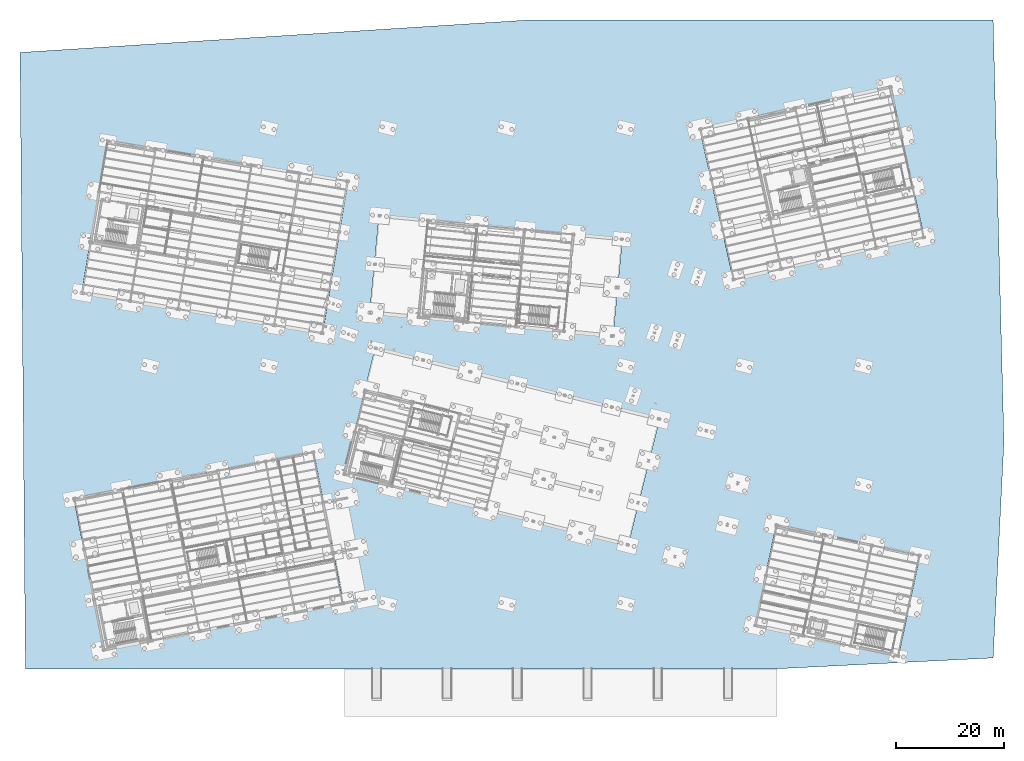
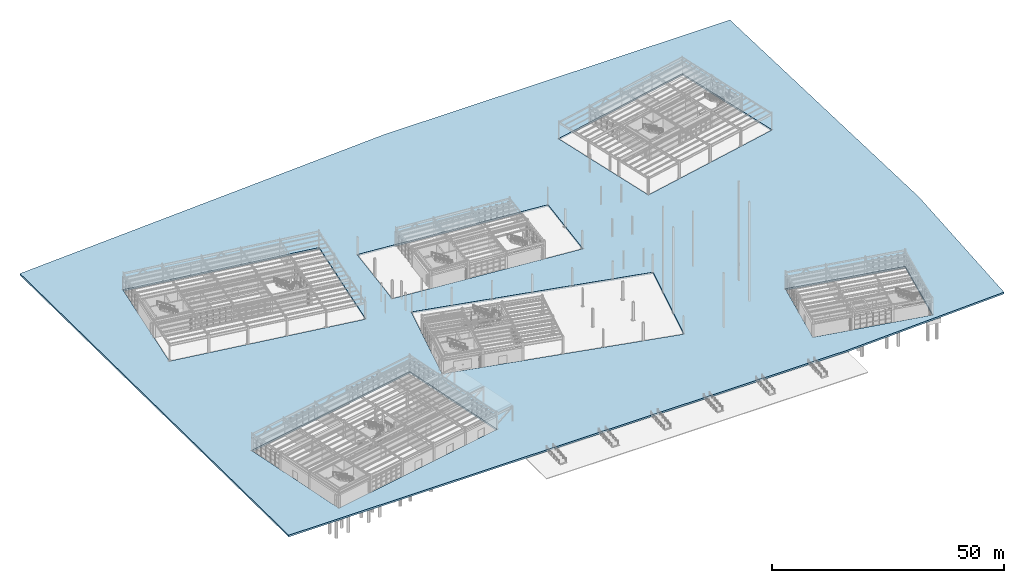
# One storey, part 65 of 108: 1 slab.
"""IFC4 building model written with IfcOpenShell, lengths in metres."""

from ifc_helpers import new_model, si_unit, direction, frame, origin, place, context, subcontext, project, spatial, polyline, outline, extrude, material, layer, layer_set, type_object, element, save


model = new_model("IFC4")

# Units and contexts
model_context = context("Model", 3, precision=1e-05, world=origin(), true_north=direction((0.0, 1.0)))
body_context = subcontext(model_context, "Body", "Model", "MODEL_VIEW")
ifc_project = project(units=[si_unit("LENGTHUNIT", "METRE"), si_unit("AREAUNIT", "SQUARE_METRE"), si_unit("VOLUMEUNIT", "CUBIC_METRE"), si_unit("PLANEANGLEUNIT", "RADIAN"), si_unit("MASSUNIT", "GRAM", prefix="KILO")], contexts=[model_context])

# Site, building, storey
site_placement = place(None, origin())
site = spatial("IfcSite", under=ifc_project, at=site_placement, CompositionType="ELEMENT")
building_placement = place(site_placement, origin())
building = spatial("IfcBuilding", under=site, at=building_placement, Name="Vireo Bluff Cable Station", CompositionType="ELEMENT")
storey_placement = place(building_placement, origin())
storey = spatial("IfcBuildingStorey", under=building, at=storey_placement, Name="L00", CompositionType="ELEMENT", Elevation=0.0)

# Slab
ifc_material = material(Name="Concrete f'c 40 MPa", Category="concrete")
ifc_layer = layer(ifc_material, 0.449951171875, Name="Concrete f'c 40 MPa")
ifc_layer_set = layer_set([ifc_layer], Name="Concrete f'c 40 MPa")
slab_type = type_object("IfcSlabType", Name="GSL-EXT-450", PredefinedType="BASESLAB", material=ifc_layer_set)
slab_placement = place(storey_placement, frame((0.0, 0.0, -0.449951171875)))
element("IfcSlab", 1, at=slab_placement, inside=storey, type_object=slab_type, Name="Unified arrival plaza plinth deck 1", PredefinedType="BASESLAB", context=body_context, shape_type="SweptSolid", body=[
    extrude(outline(polyline([(134.0, 2.0), (54.0, 2.0), (-5.0, 2.0), (-6.0, 116.0), (88.0, 122.0), (174.0, 122.0), (176.0, 44.0), (174.0, 4.0), (134.0, 2.0)]), holes=[polyline([(48.29833984375, 42.156494140625), (3.96826171875, 33.53955078125), (9.436767578125, 5.40625), (53.76708984375, 14.023193359375), (48.29833984375, 42.156494140625)]), polyline([(156.4716796875, 4.29150390625), (160.455078125, 23.03271484375), (133.888671875, 28.6796875), (129.905029296875, 9.9384765625), (156.4716796875, 4.29150390625)]), polyline([(5.407958984375, 71.434326171875), (49.948486328125, 63.980712890625), (54.6787109375, 92.247802734375), (10.13818359375, 99.701171875), (5.407958984375, 71.434326171875)]), polyline([(119.736083984375, 101.88525390625), (125.939208984375, 73.904541015625), (161.2421875, 81.73095703125), (155.038818359375, 109.711669921875), (119.736083984375, 101.88525390625)]), polyline([(112.299072265625, 48.281494140625), (59.747802734375, 61.384033203125), (53.903076171875, 37.941650390625), (106.454345703125, 24.83935546875), (112.299072265625, 48.281494140625)]), polyline([(103.644287109375, 63.466064453125), (105.384765625, 81.54248046875), (60.432861328125, 85.870849609375), (58.692138671875, 67.79443359375), (103.644287109375, 63.466064453125)])]), origin(), (0.0, 0.0, 1.0), 0.449951171875),
])

save(model, "model.ifc")
